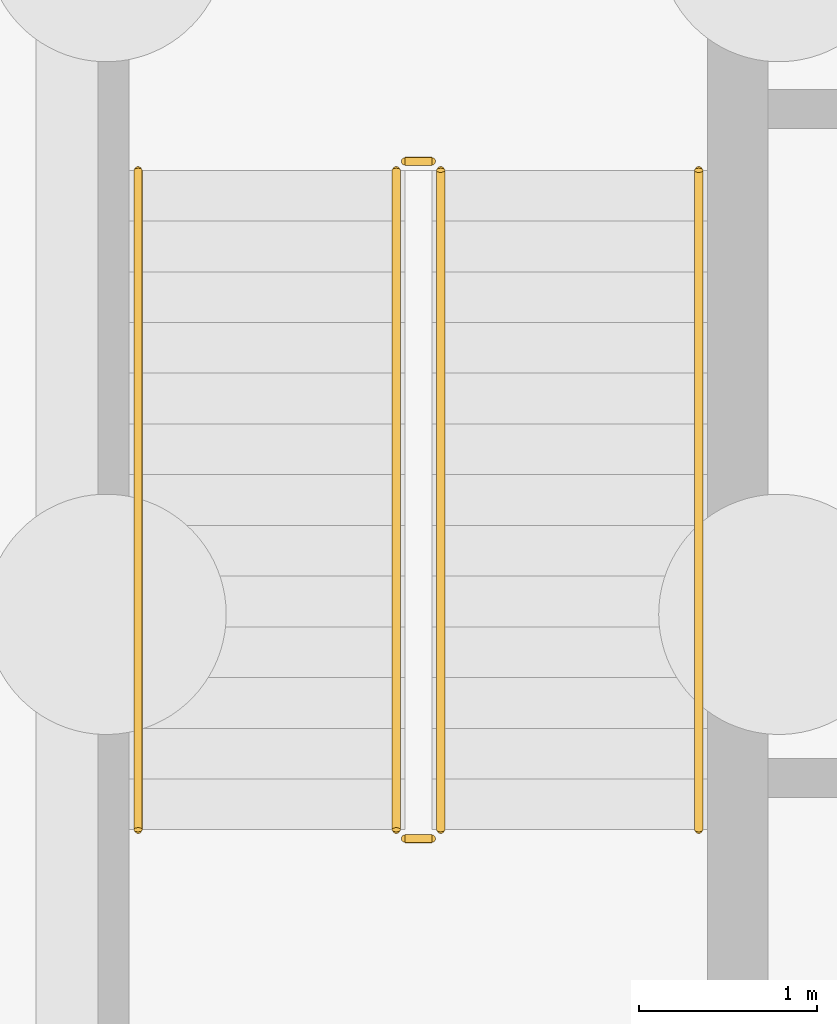
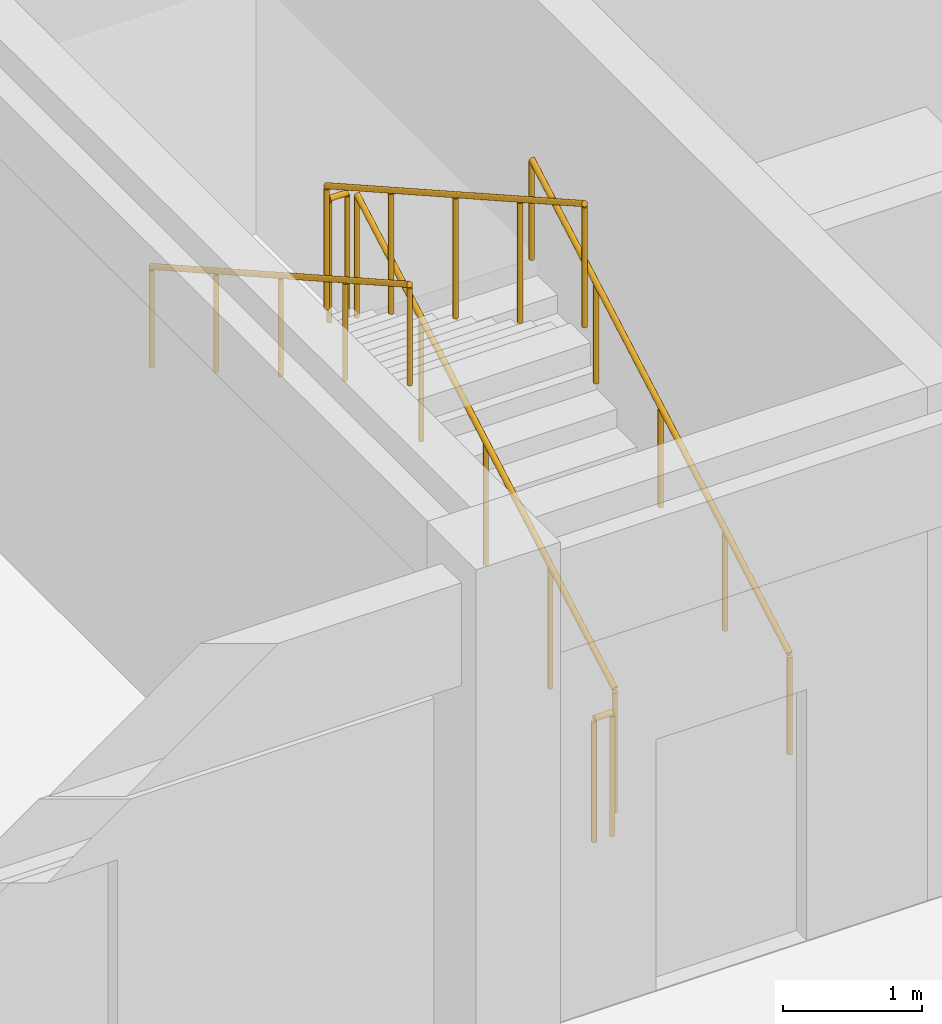
# One storey, part 70 of 84: 6 railings.
"""IFC4 building model written with IfcOpenShell, lengths in metres."""

from ifc_helpers import new_model, si_unit, direction, frame, origin, origin_2d, place, context, subcontext, project, spatial, circle, extrude, material, type_object, element, save


model = new_model("IFC4")

# Units and contexts
model_context = context("Model", 3, precision=1e-05, world=origin(), true_north=direction((0.0, 1.0)))
body_context = subcontext(model_context, "Body", "Model", "MODEL_VIEW")
ifc_project = project(units=[si_unit("LENGTHUNIT", "METRE"), si_unit("AREAUNIT", "SQUARE_METRE"), si_unit("VOLUMEUNIT", "CUBIC_METRE"), si_unit("PLANEANGLEUNIT", "RADIAN"), si_unit("MASSUNIT", "GRAM", prefix="KILO")], contexts=[model_context])

# Site, building, storey
site_placement = place(None, origin())
site = spatial("IfcSite", under=ifc_project, at=site_placement, CompositionType="ELEMENT")
building_placement = place(site_placement, origin())
building = spatial("IfcBuilding", under=site, at=building_placement, Name="Larkveld Mobility Hub", CompositionType="ELEMENT")
storey_placement = place(building_placement, origin())
storey = spatial("IfcBuildingStorey", under=building, at=storey_placement, Name="L00", CompositionType="ELEMENT", Elevation=0.0)

# Railings
ifc_material_1 = material(Name="Galvanized Steel S355JR balustrade", Category="steel")
railing_type_1 = type_object("IfcRailingType", Name="RL-GRD-1100", PredefinedType="GUARDRAIL", material=ifc_material_1)
railing_1_placement = place(storey_placement, frame((122.10009765625, 1.89990234375, 0.16064453125)))
element("IfcRailing", 1, at=railing_1_placement, inside=storey, type_object=railing_type_1, Name="L00 ST4 stair guard 1", PredefinedType="GUARDRAIL", context=body_context, shape_type="SweptSolid", body=[
    extrude(circle(Radius=0.02392578125, at=origin_2d()), frame((0.0, 0.0, 1.076171875), z_axis=(0.0, 0.871047735535, 0.491198373795), x_axis=(-1.0, 0.0, 0.0)), (0.0, 0.0, 1.0), 4.253662109375),
    extrude(circle(Radius=0.02099609375, at=origin_2d()), origin(), (0.0, 0.0, 1.0), 1.052001953125),
    extrude(circle(Radius=0.02099609375, at=origin_2d()), frame((0.0, 0.92626953125, 0.5224609375)), (0.0, 0.0, 1.0), 1.052001953125),
    extrude(circle(Radius=0.02099609375, at=origin_2d()), frame((0.0, 1.8525390625, 1.044677734375)), (0.0, 0.0, 1.0), 1.052001953125),
    extrude(circle(Radius=0.02099609375, at=origin_2d()), frame((0.0, 2.77880859375, 1.56689453125)), (0.0, 0.0, 1.0), 1.052001953125),
    extrude(circle(Radius=0.02099609375, at=origin_2d()), frame((0.0, 3.705078125, 2.08935546875)), (0.0, 0.0, 1.0), 1.052001953125),
])
railing_2_placement = place(storey_placement, frame((122.050048828125, 5.655029296875, 2.25)))
element("IfcRailing", 2, at=railing_2_placement, inside=storey, type_object=railing_type_1, Name="L00 ST4 stair guard 2", PredefinedType="GUARDRAIL", context=body_context, shape_type="SweptSolid", body=[
    extrude(circle(Radius=0.02392578125, at=origin_2d()), frame((0.0, 0.0, 1.076171875), z_axis=(-1.0, 0.0, 0.0), x_axis=(0.0, -1.0, 0.0)), (0.0, 0.0, 1.0), 0.150146484375),
    extrude(circle(Radius=0.02099609375, at=origin_2d()), origin(), (0.0, 0.0, 1.0), 1.052001953125),
    extrude(circle(Radius=0.02099609375, at=origin_2d()), frame((-0.150146484375, 0.0, 0.0)), (0.0, 0.0, 1.0), 1.052001953125),
])
railing_3_placement = place(storey_placement, frame((121.85009765625, 5.60498046875, 2.41064453125)))
element("IfcRailing", 3, at=railing_3_placement, inside=storey, type_object=railing_type_1, Name="L00 ST4 stair guard 3", PredefinedType="GUARDRAIL", context=body_context, shape_type="SweptSolid", body=[
    extrude(circle(Radius=0.02392578125, at=origin_2d()), frame((0.0, 0.0, 1.076171875), z_axis=(0.0, -0.871047735535, 0.491198373795), x_axis=(1.0, 0.0, 0.0)), (0.0, 0.0, 1.0), 4.253662109375),
    extrude(circle(Radius=0.02099609375, at=origin_2d()), origin(), (0.0, 0.0, 1.0), 1.052001953125),
    extrude(circle(Radius=0.02099609375, at=origin_2d()), frame((0.0, -0.92626953125, 0.5224609375)), (0.0, 0.0, 1.0), 1.052001953125),
    extrude(circle(Radius=0.02099609375, at=origin_2d()), frame((0.0, -1.8525390625, 1.044677734375)), (0.0, 0.0, 1.0), 1.052001953125),
    extrude(circle(Radius=0.02099609375, at=origin_2d()), frame((0.0, -2.77880859375, 1.56689453125)), (0.0, 0.0, 1.0), 1.052001953125),
    extrude(circle(Radius=0.02099609375, at=origin_2d()), frame((0.0, -3.705078125, 2.08935546875)), (0.0, 0.0, 1.0), 1.052001953125),
])
railing_4_placement = place(storey_placement, frame((122.050048828125, 1.85009765625, 0.0)))
element("IfcRailing", 4, at=railing_4_placement, inside=storey, type_object=railing_type_1, Name="L00 ST4 stair guard 4", PredefinedType="GUARDRAIL", context=body_context, shape_type="SweptSolid", body=[
    extrude(circle(Radius=0.02392578125, at=origin_2d()), frame((0.0, 0.0, 1.076171875), z_axis=(-1.0, 0.0, 0.0), x_axis=(0.0, -1.0, 0.0)), (0.0, 0.0, 1.0), 0.150146484375),
    extrude(circle(Radius=0.02099609375, at=origin_2d()), origin(), (0.0, 0.0, 1.0), 1.052001953125),
    extrude(circle(Radius=0.02099609375, at=origin_2d()), frame((-0.150146484375, 0.0, 0.0)), (0.0, 0.0, 1.0), 1.052001953125),
])
ifc_material_2 = material(Name="Brushed Steel S355JR tubular handrail", Category="steel")
railing_type_2 = type_object("IfcRailingType", Name="RL-HND-0900", PredefinedType="HANDRAIL", material=ifc_material_2)
railing_5_placement = place(storey_placement, frame((123.550048828125, 1.89990234375, 0.16064453125)))
element("IfcRailing", 5, at=railing_5_placement, inside=storey, type_object=railing_type_2, Name="L00 ST4 stair handrail 1", PredefinedType="HANDRAIL", context=body_context, shape_type="SweptSolid", body=[
    extrude(circle(Radius=0.02392578125, at=origin_2d()), frame((0.0, 0.0, 0.8759765625), z_axis=(0.0, 0.871047735535, 0.491198373795), x_axis=(-1.0, 0.0, 0.0)), (0.0, 0.0, 1.0), 4.253662109375),
    extrude(circle(Radius=0.02099609375, at=origin_2d()), origin(), (0.0, 0.0, 1.0), 0.851806640625),
    extrude(circle(Radius=0.02099609375, at=origin_2d()), frame((0.0, 0.92626953125, 0.5224609375)), (0.0, 0.0, 1.0), 0.851806640625),
    extrude(circle(Radius=0.02099609375, at=origin_2d()), frame((0.0, 1.8525390625, 1.044677734375)), (0.0, 0.0, 1.0), 0.851806640625),
    extrude(circle(Radius=0.02099609375, at=origin_2d()), frame((0.0, 2.77880859375, 1.56689453125)), (0.0, 0.0, 1.0), 0.851806640625),
    extrude(circle(Radius=0.02099609375, at=origin_2d()), frame((0.0, 3.705078125, 2.08935546875)), (0.0, 0.0, 1.0), 0.851806640625),
])
railing_6_placement = place(storey_placement, frame((120.39990234375, 5.60498046875, 2.41064453125)))
element("IfcRailing", 6, at=railing_6_placement, inside=storey, type_object=railing_type_2, Name="L00 ST4 stair handrail 2", PredefinedType="HANDRAIL", context=body_context, shape_type="SweptSolid", body=[
    extrude(circle(Radius=0.02392578125, at=origin_2d()), frame((0.0, 0.0, 0.8759765625), z_axis=(0.0, -0.871047735535, 0.491198373795), x_axis=(1.0, 0.0, 0.0)), (0.0, 0.0, 1.0), 4.253662109375),
    extrude(circle(Radius=0.02099609375, at=origin_2d()), origin(), (0.0, 0.0, 1.0), 0.851806640625),
    extrude(circle(Radius=0.02099609375, at=origin_2d()), frame((0.0, -0.92626953125, 0.5224609375)), (0.0, 0.0, 1.0), 0.851806640625),
    extrude(circle(Radius=0.02099609375, at=origin_2d()), frame((0.0, -1.8525390625, 1.044677734375)), (0.0, 0.0, 1.0), 0.851806640625),
    extrude(circle(Radius=0.02099609375, at=origin_2d()), frame((0.0, -2.77880859375, 1.56689453125)), (0.0, 0.0, 1.0), 0.851806640625),
    extrude(circle(Radius=0.02099609375, at=origin_2d()), frame((0.0, -3.705078125, 2.08935546875)), (0.0, 0.0, 1.0), 0.851806640625),
])

save(model, "model.ifc")
